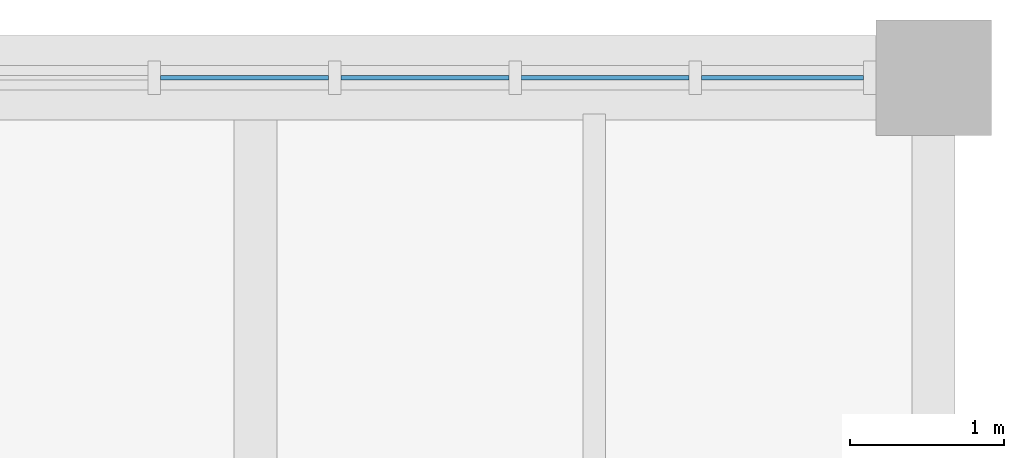
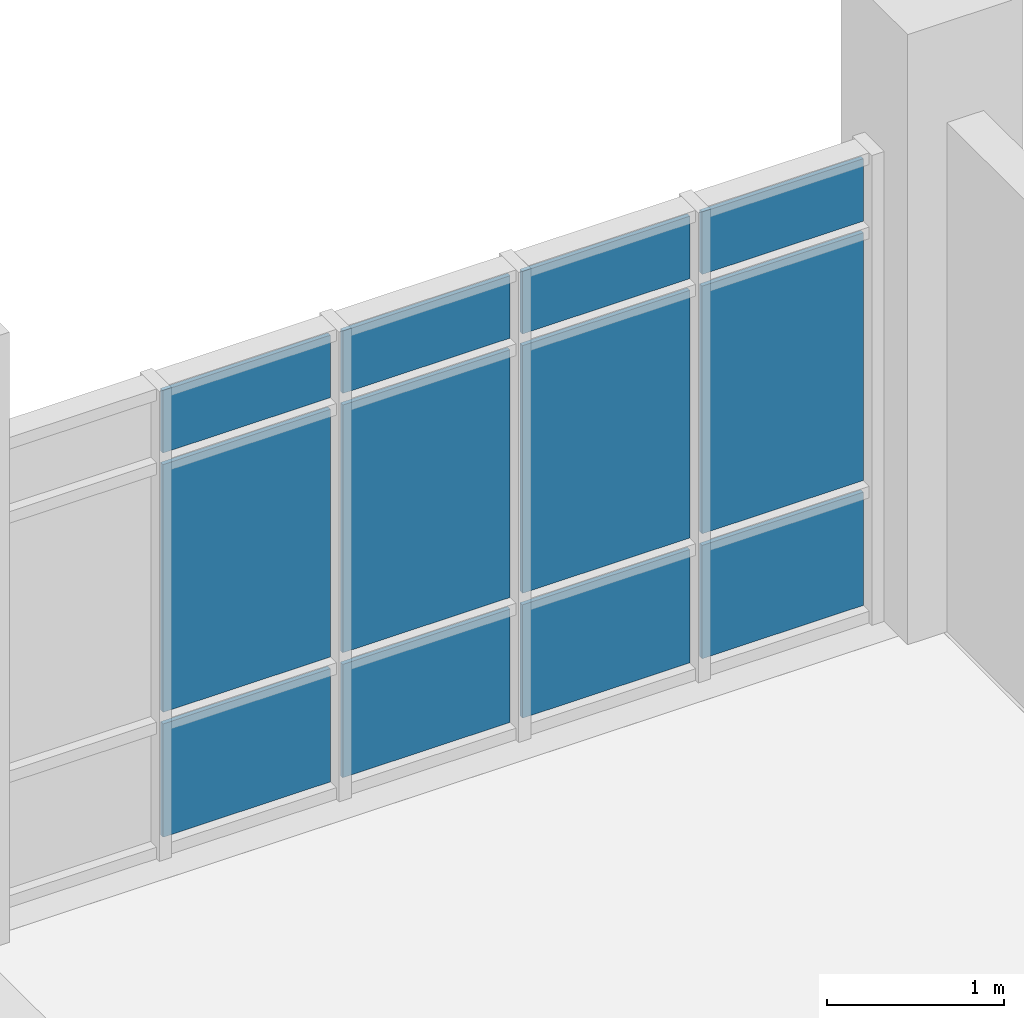
# One storey, part 75 of 92: 12 plates, 1 element without a shape of its own.
"""IFC4 building model written with IfcOpenShell, lengths in metres."""

from ifc_helpers import new_model, si_unit, direction, frame, origin, origin_2d, place, context, subcontext, project, spatial, rectangle, extrude, material, layer, layer_set, type_object, element, aggregate, save


model = new_model("IFC4")

# Units and contexts
model_context = context("Model", 3, precision=1e-05, world=origin(), true_north=direction((0.0, 1.0)))
body_context = subcontext(model_context, "Body", "Model", "MODEL_VIEW")
ifc_project = project(units=[si_unit("LENGTHUNIT", "METRE"), si_unit("AREAUNIT", "SQUARE_METRE"), si_unit("VOLUMEUNIT", "CUBIC_METRE"), si_unit("PLANEANGLEUNIT", "RADIAN"), si_unit("MASSUNIT", "GRAM", prefix="KILO")], contexts=[model_context])

# Site, building, storey
site_placement = place(None, origin())
site = spatial("IfcSite", under=ifc_project, at=site_placement, CompositionType="ELEMENT")
building_placement = place(site_placement, origin())
building = spatial("IfcBuilding", under=site, at=building_placement, Name="Ciguamira Faculty of Natural Sciences", CompositionType="ELEMENT")
storey_placement = place(building_placement, frame((0.0, 0.0, 16.800048828125)))
storey = spatial("IfcBuildingStorey", under=building, at=storey_placement, Name="L04", CompositionType="ELEMENT", Elevation=16.800048828125)

# Curtain wall, plates
ifc_material_1 = material(Name="Anodized aluminium curtain wall", Category="aluminium")
curtain_wall_type = type_object("IfcCurtainWallType", Name="CurtainWall_CW-09", PredefinedType="USERDEFINED", material=ifc_material_1)
curtain_wall_placement = place(storey_placement, origin())
curtain_wall = element("IfcCurtainWall", 1, at=curtain_wall_placement, inside=storey, type_object=curtain_wall_type, Name="L04 unitised curtain wall 0129", ObjectType="UNITISED CURTAIN WALL", PredefinedType="USERDEFINED")
ifc_material_2 = material(Name="Low-E laminated solar glass", Category="glass")
ifc_layer = layer(ifc_material_2, 0.028076171875, Name="Low-E laminated solar glass")
ifc_layer_set = layer_set([ifc_layer], Name="Low-E laminated solar glass")
plate_type = type_object("IfcPlateType", Name="CWPanel_CWP-01", PredefinedType="CURTAIN_PANEL", material=ifc_layer_set)
plate_1_placement = place(storey_placement, frame((105.6298828125, 115.0, 0.080078125), z_axis=(0.0, 0.0, 1.0), x_axis=(1.0, 0.0, 0.0)))
plate_1 = element("IfcPlate", 2, at=plate_1_placement, type_object=plate_type, Name="CW-09 panel 2.1", PredefinedType="CURTAIN_PANEL", context=body_context, shape_type="SweptSolid", body=[
    extrude(rectangle(XDim=1.090087890625, YDim=0.028076171875, at=origin_2d()), origin(), (0.0, 0.0, 1.0), 0.780029296875),
])
plate_2_placement = place(storey_placement, frame((105.6298828125, 115.0, 0.93994140625), z_axis=(0.0, 0.0, 1.0), x_axis=(1.0, 0.0, 0.0)))
plate_2 = element("IfcPlate", 3, at=plate_2_placement, type_object=plate_type, Name="CW-09 panel 2.2", PredefinedType="CURTAIN_PANEL", context=body_context, shape_type="SweptSolid", body=[
    extrude(rectangle(XDim=1.090087890625, YDim=0.028076171875, at=origin_2d()), origin(), (0.0, 0.0, 1.0), 1.705078125),
])
plate_3_placement = place(storey_placement, frame((105.6298828125, 115.0, 2.72509765625), z_axis=(0.0, 0.0, 1.0), x_axis=(1.0, 0.0, 0.0)))
plate_3 = element("IfcPlate", 4, at=plate_3_placement, type_object=plate_type, Name="CW-09 panel 2.3", PredefinedType="CURTAIN_PANEL", context=body_context, shape_type="SweptSolid", body=[
    extrude(rectangle(XDim=1.090087890625, YDim=0.028076171875, at=origin_2d()), origin(), (0.0, 0.0, 1.0), 0.429931640625),
])
plate_4_placement = place(storey_placement, frame((106.800048828125, 115.0, 0.080078125), z_axis=(0.0, 0.0, 1.0), x_axis=(1.0, 0.0, 0.0)))
plate_4 = element("IfcPlate", 5, at=plate_4_placement, type_object=plate_type, Name="CW-09 panel 3.1", PredefinedType="CURTAIN_PANEL", context=body_context, shape_type="SweptSolid", body=[
    extrude(rectangle(XDim=1.090087890625, YDim=0.028076171875, at=origin_2d()), origin(), (0.0, 0.0, 1.0), 0.780029296875),
])
plate_5_placement = place(storey_placement, frame((106.800048828125, 115.0, 0.93994140625), z_axis=(0.0, 0.0, 1.0), x_axis=(1.0, 0.0, 0.0)))
plate_5 = element("IfcPlate", 6, at=plate_5_placement, type_object=plate_type, Name="CW-09 panel 3.2", PredefinedType="CURTAIN_PANEL", context=body_context, shape_type="SweptSolid", body=[
    extrude(rectangle(XDim=1.090087890625, YDim=0.028076171875, at=origin_2d()), origin(), (0.0, 0.0, 1.0), 1.705078125),
])
plate_6_placement = place(storey_placement, frame((106.800048828125, 115.0, 2.72509765625), z_axis=(0.0, 0.0, 1.0), x_axis=(1.0, 0.0, 0.0)))
plate_6 = element("IfcPlate", 7, at=plate_6_placement, type_object=plate_type, Name="CW-09 panel 3.3", PredefinedType="CURTAIN_PANEL", context=body_context, shape_type="SweptSolid", body=[
    extrude(rectangle(XDim=1.090087890625, YDim=0.028076171875, at=origin_2d()), origin(), (0.0, 0.0, 1.0), 0.429931640625),
])
plate_7_placement = place(storey_placement, frame((107.969970703125, 115.0, 0.080078125), z_axis=(0.0, 0.0, 1.0), x_axis=(1.0, 0.0, 0.0)))
plate_7 = element("IfcPlate", 8, at=plate_7_placement, type_object=plate_type, Name="CW-09 panel 4.1", PredefinedType="CURTAIN_PANEL", context=body_context, shape_type="SweptSolid", body=[
    extrude(rectangle(XDim=1.090087890625, YDim=0.028076171875, at=origin_2d()), origin(), (0.0, 0.0, 1.0), 0.780029296875),
])
plate_8_placement = place(storey_placement, frame((107.969970703125, 115.0, 0.93994140625), z_axis=(0.0, 0.0, 1.0), x_axis=(1.0, 0.0, 0.0)))
plate_8 = element("IfcPlate", 9, at=plate_8_placement, type_object=plate_type, Name="CW-09 panel 4.2", PredefinedType="CURTAIN_PANEL", context=body_context, shape_type="SweptSolid", body=[
    extrude(rectangle(XDim=1.090087890625, YDim=0.028076171875, at=origin_2d()), origin(), (0.0, 0.0, 1.0), 1.705078125),
])
plate_9_placement = place(storey_placement, frame((107.969970703125, 115.0, 2.72509765625), z_axis=(0.0, 0.0, 1.0), x_axis=(1.0, 0.0, 0.0)))
plate_9 = element("IfcPlate", 10, at=plate_9_placement, type_object=plate_type, Name="CW-09 panel 4.3", PredefinedType="CURTAIN_PANEL", context=body_context, shape_type="SweptSolid", body=[
    extrude(rectangle(XDim=1.090087890625, YDim=0.028076171875, at=origin_2d()), origin(), (0.0, 0.0, 1.0), 0.429931640625),
])
plate_10_placement = place(storey_placement, frame((109.1201171875, 115.0, 0.080078125), z_axis=(0.0, 0.0, 1.0), x_axis=(1.0, 0.0, 0.0)))
plate_10 = element("IfcPlate", 11, at=plate_10_placement, type_object=plate_type, Name="CW-09 panel 5.1", PredefinedType="CURTAIN_PANEL", context=body_context, shape_type="SweptSolid", body=[
    extrude(rectangle(XDim=1.050048828125, YDim=0.028076171875, at=origin_2d()), origin(), (0.0, 0.0, 1.0), 0.780029296875),
])
plate_11_placement = place(storey_placement, frame((109.1201171875, 115.0, 0.93994140625), z_axis=(0.0, 0.0, 1.0), x_axis=(1.0, 0.0, 0.0)))
plate_11 = element("IfcPlate", 12, at=plate_11_placement, type_object=plate_type, Name="CW-09 panel 5.2", PredefinedType="CURTAIN_PANEL", context=body_context, shape_type="SweptSolid", body=[
    extrude(rectangle(XDim=1.050048828125, YDim=0.028076171875, at=origin_2d()), origin(), (0.0, 0.0, 1.0), 1.705078125),
])
plate_12_placement = place(storey_placement, frame((109.1201171875, 115.0, 2.72509765625), z_axis=(0.0, 0.0, 1.0), x_axis=(1.0, 0.0, 0.0)))
plate_12 = element("IfcPlate", 13, at=plate_12_placement, type_object=plate_type, Name="CW-09 panel 5.3", PredefinedType="CURTAIN_PANEL", context=body_context, shape_type="SweptSolid", body=[
    extrude(rectangle(XDim=1.050048828125, YDim=0.028076171875, at=origin_2d()), origin(), (0.0, 0.0, 1.0), 0.429931640625),
])
aggregate(curtain_wall, [plate_1, plate_2, plate_3, plate_4, plate_5, plate_6, plate_7, plate_8, plate_9, plate_10, plate_11, plate_12])

save(model, "model.ifc")
